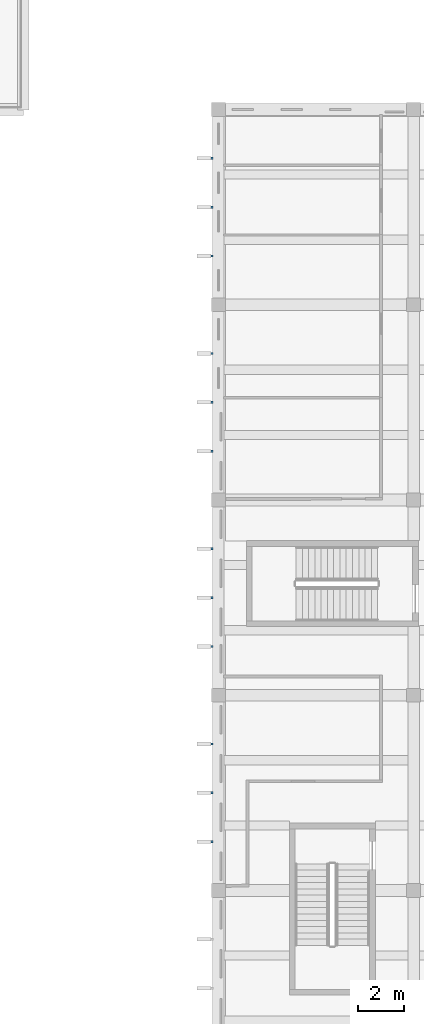
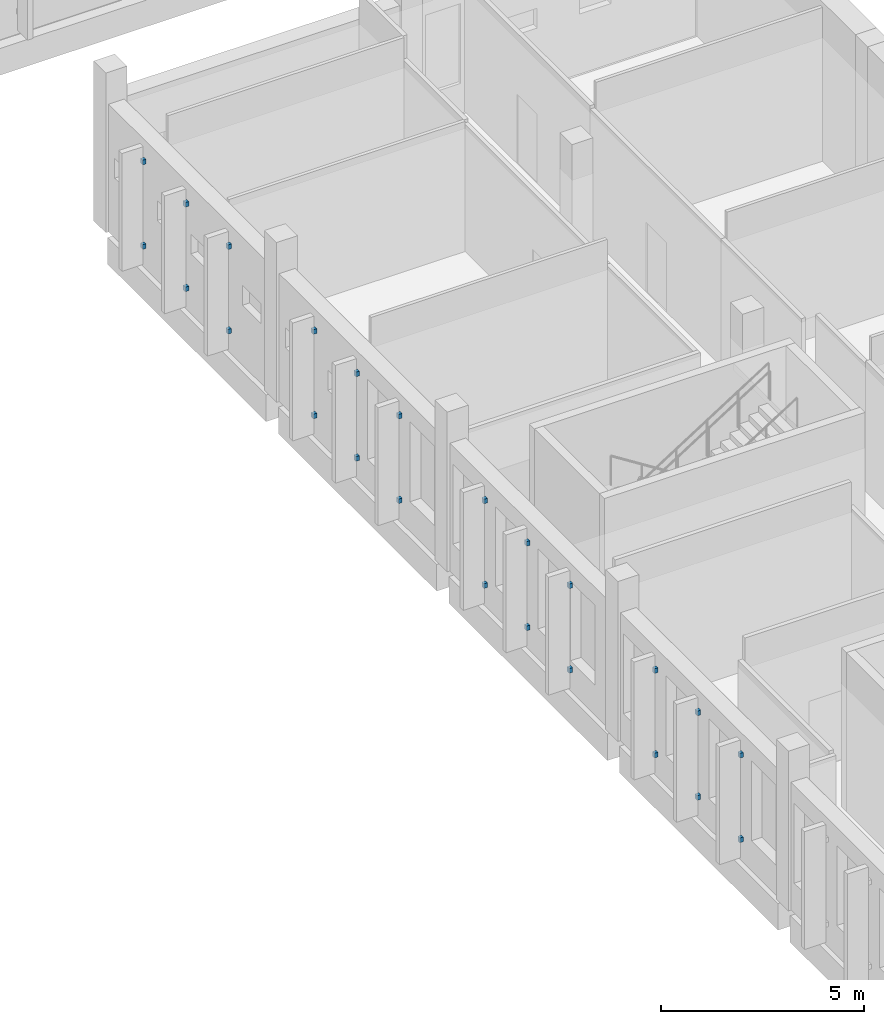
# One storey, part 83 of 119: 24 discrete accessories.
"""IFC4 building model written with IfcOpenShell, lengths in metres."""

from ifc_helpers import new_model, si_unit, direction, frame, origin, origin_2d, place, context, subcontext, project, spatial, rectangle, extrude, material, layer, layer_set, type_object, element, save


model = new_model("IFC4")

# Units and contexts
model_context = context("Model", 3, precision=1e-05, world=origin(), true_north=direction((0.0, 1.0)))
body_context = subcontext(model_context, "Body", "Model", "MODEL_VIEW")
ifc_project = project(units=[si_unit("LENGTHUNIT", "METRE"), si_unit("AREAUNIT", "SQUARE_METRE"), si_unit("VOLUMEUNIT", "CUBIC_METRE"), si_unit("PLANEANGLEUNIT", "RADIAN"), si_unit("MASSUNIT", "GRAM", prefix="KILO")], contexts=[model_context])

# Site, building, storey
site_placement = place(None, origin())
site = spatial("IfcSite", under=ifc_project, at=site_placement, CompositionType="ELEMENT")
building_placement = place(site_placement, origin())
building = spatial("IfcBuilding", under=site, at=building_placement, Name="Larchfold Concert Hall", CompositionType="ELEMENT")
storey_placement = place(building_placement, frame((0.0, 0.0, 4.800048828125)))
storey = spatial("IfcBuildingStorey", under=building, at=storey_placement, Name="L01", CompositionType="ELEMENT", Elevation=4.800048828125)

# Discrete accessories
ifc_material = material(Name="Steel S355 galvanised bracket", Category="steel")
ifc_layer = layer(ifc_material, 0.10009765625)
ifc_layer_set = layer_set([ifc_layer], Name="Steel S355 galvanised bracket")
discrete_accessory_type = type_object("IfcDiscreteAccessoryType", Name="Fin support bracket", PredefinedType="BRACKET", material=ifc_layer_set)
for number, where, z_axis, x_axis, name in (
    (1, (84.3251953125, 53.10009765625, 0.6298828125), (0.0, 0.0, 1.0), (-1.0, 0.0, 0.0), "Fin bracket FN-L01-051-1"),
    (2, (84.3251953125, 53.10009765625, 3.169921875), (0.0, 0.0, 1.0), (-1.0, 0.0, 0.0), "Fin bracket FN-L01-051-2"),
    (3, (84.3251953125, 55.199951171875, 0.6298828125), (0.0, 0.0, 1.0), (-1.0, 0.0, 0.0), "Fin bracket FN-L01-052-1"),
    (4, (84.3251953125, 55.199951171875, 3.169921875), (0.0, 0.0, 1.0), (-1.0, 0.0, 0.0), "Fin bracket FN-L01-052-2"),
    (5, (84.3251953125, 57.300048828125, 0.6298828125), (0.0, 0.0, 1.0), (-1.0, 0.0, 0.0), "Fin bracket FN-L01-053-1"),
    (6, (84.3251953125, 57.300048828125, 3.169921875), (0.0, 0.0, 1.0), (-1.0, 0.0, 0.0), "Fin bracket FN-L01-053-2"),
    (7, (84.3251953125, 44.699951171875, 0.6298828125), (0.0, 0.0, 1.0), (-1.0, 0.0, 0.0), "Fin bracket FN-L01-054-1"),
    (8, (84.3251953125, 44.699951171875, 3.169921875), (0.0, 0.0, 1.0), (-1.0, 0.0, 0.0), "Fin bracket FN-L01-054-2"),
    (9, (84.3251953125, 46.800048828125, 0.6298828125), (0.0, 0.0, 1.0), (-1.0, 0.0, 0.0), "Fin bracket FN-L01-055-1"),
    (10, (84.3251953125, 46.800048828125, 3.169921875), (0.0, 0.0, 1.0), (-1.0, 0.0, 0.0), "Fin bracket FN-L01-055-2"),
    (11, (84.3251953125, 48.89990234375, 0.6298828125), (0.0, 0.0, 1.0), (-1.0, 0.0, 0.0), "Fin bracket FN-L01-056-1"),
    (12, (84.3251953125, 48.89990234375, 3.169921875), (0.0, 0.0, 1.0), (-1.0, 0.0, 0.0), "Fin bracket FN-L01-056-2"),
    (13, (84.3251953125, 36.300048828125, 0.6298828125), (0.0, 0.0, 1.0), (-1.0, 0.0, 0.0), "Fin bracket FN-L01-057-1"),
    (14, (84.3251953125, 36.300048828125, 3.169921875), (0.0, 0.0, 1.0), (-1.0, 0.0, 0.0), "Fin bracket FN-L01-057-2"),
    (15, (84.3251953125, 38.39990234375, 0.6298828125), (0.0, 0.0, 1.0), (-1.0, 0.0, 0.0), "Fin bracket FN-L01-058-1"),
    (16, (84.3251953125, 38.39990234375, 3.169921875), (0.0, 0.0, 1.0), (-1.0, 0.0, 0.0), "Fin bracket FN-L01-058-2"),
    (17, (84.3251953125, 40.5, 0.6298828125), (0.0, 0.0, 1.0), (-1.0, 0.0, 0.0), "Fin bracket FN-L01-059-1"),
    (18, (84.3251953125, 40.5, 3.169921875), (0.0, 0.0, 1.0), (-1.0, 0.0, 0.0), "Fin bracket FN-L01-059-2"),
    (19, (84.3251953125, 27.89990234375, 0.6298828125), (0.0, 0.0, 1.0), (-1.0, 0.0, 0.0), "Fin bracket FN-L01-060-1"),
    (20, (84.3251953125, 27.89990234375, 3.169921875), (0.0, 0.0, 1.0), (-1.0, 0.0, 0.0), "Fin bracket FN-L01-060-2"),
    (21, (84.3251953125, 30.0, 0.6298828125), (0.0, 0.0, 1.0), (-1.0, 0.0, 0.0), "Fin bracket FN-L01-061-1"),
    (22, (84.3251953125, 30.0, 3.169921875), (0.0, 0.0, 1.0), (-1.0, 0.0, 0.0), "Fin bracket FN-L01-061-2"),
    (23, (84.3251953125, 32.10009765625, 0.6298828125), (0.0, 0.0, 1.0), (-1.0, 0.0, 0.0), "Fin bracket FN-L01-062-1"),
    (24, (84.3251953125, 32.10009765625, 3.169921875), (0.0, 0.0, 1.0), (-1.0, 0.0, 0.0), "Fin bracket FN-L01-062-2"),
):
    element("IfcDiscreteAccessory", number, at=place(storey_placement, frame(where, z_axis=z_axis, x_axis=x_axis)), inside=storey, type_object=discrete_accessory_type, Name=name, PredefinedType="BRACKET", context=body_context, shape_type="SweptSolid", body=[
        extrude(rectangle(XDim=0.10009765625, YDim=0.10009765625, at=origin_2d()), origin(), (0.0, 0.0, 1.0), 0.139892578125),
    ])

save(model, "model.ifc")
